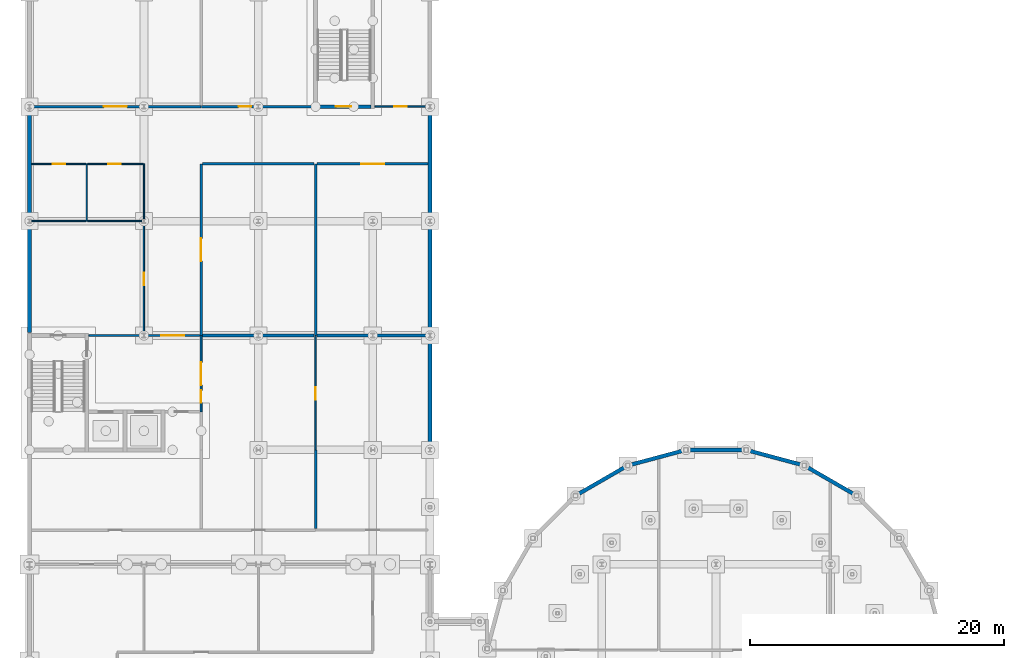
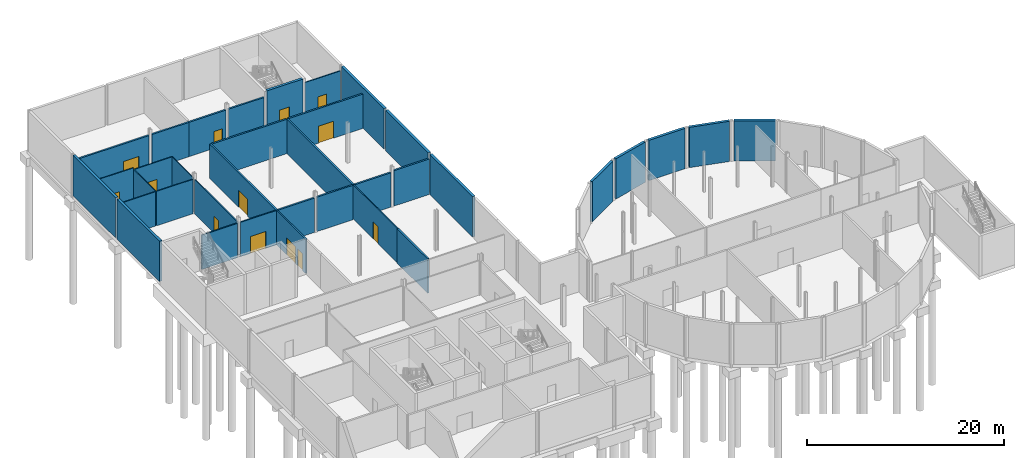
# One storey, part 16 of 25: 36 walls, 13 doors, 13 openings.
"""IFC4 building model written with IfcOpenShell, lengths in metres."""

from ifc_helpers import new_model, si_unit, direction, frame, frame_2d, origin, place, context, subcontext, project, spatial, rectangle, extrude, material, layer, layer_set, type_object, element, fill, save


model = new_model("IFC4")

# Units and contexts
model_context = context("Model", 3, precision=1e-05, world=origin(), true_north=direction((0.0, 1.0)))
body_context = subcontext(model_context, "Body", "Model", "MODEL_VIEW")
ifc_project = project(units=[si_unit("LENGTHUNIT", "METRE"), si_unit("AREAUNIT", "SQUARE_METRE"), si_unit("VOLUMEUNIT", "CUBIC_METRE"), si_unit("PLANEANGLEUNIT", "RADIAN"), si_unit("MASSUNIT", "GRAM", prefix="KILO")], contexts=[model_context])

# Site, building, storey
site_placement = place(None, origin())
site = spatial("IfcSite", under=ifc_project, at=site_placement, CompositionType="ELEMENT")
building_placement = place(site_placement, origin())
building = spatial("IfcBuilding", under=site, at=building_placement, Name="Hortulan Conservatory and Botanical Research Centre", CompositionType="ELEMENT")
storey_placement = place(building_placement, frame((0.0, 0.0, -5.0)))
storey = spatial("IfcBuildingStorey", under=building, at=storey_placement, Name="B1", CompositionType="ELEMENT", Elevation=-5.0)

# Walls
ifc_material_1 = material(Name="Concrete N40 (40 MPa, AS 3600)", Category="concrete")
ifc_layer_1 = layer(ifc_material_1, 0.300048828125)
ifc_layer_set_1 = layer_set([ifc_layer_1], Name="Basement Wall 300 N40 FRL 120/120/120")
wall_type_1 = type_object("IfcWallType", Name="Basement Wall 300 N40 FRL 120/120/120", PredefinedType="SOLIDWALL", material=ifc_layer_set_1)
wall_1_placement = place(storey_placement, frame((0.0, 45.25, 0.0), z_axis=(0.0, 0.0, 1.0), x_axis=(0.0, 1.0, 0.0)))
element("IfcWall", 1, at=wall_1_placement, inside=storey, type_object=wall_type_1, Name="Basement retaining wall", PredefinedType="SOLIDWALL", context=body_context, shape_type="SweptSolid", body=[
    extrude(rectangle(XDim=8.589599609375, YDim=0.300048828125, at=frame_2d((4.294921875, 0.0))), origin(), (0.0, 0.0, 1.0), 5.0),
])
for number, where, z_axis, x_axis, name in (
    (2, (0.0, 54.160400390625, 0.0), (0.0, 0.0, 1.0), (0.0, 1.0, 0.0), "Basement retaining wall"),
    (3, (31.5, 62.839599609375, 0.0), (0.0, 0.0, 1.0), (0.0, -1.0, 0.0), "Basement retaining wall"),
    (4, (31.5, 53.839599609375, 0.0), (0.0, 0.0, 1.0), (0.0, -1.0, 0.0), "Basement retaining wall"),
    (5, (31.5, 44.839599609375, 0.0), (0.0, 0.0, 1.0), (0.0, -1.0, 0.0), "Basement retaining wall"),
):
    element("IfcWall", number, at=place(storey_placement, frame(where, z_axis=z_axis, x_axis=x_axis)), inside=storey, type_object=wall_type_1, Name=name, PredefinedType="SOLIDWALL", context=body_context, shape_type="SweptSolid", body=[
        extrude(rectangle(XDim=8.67919921875, YDim=0.300048828125, at=frame_2d((4.339599609375, 0.0))), origin(), (0.0, 0.0, 1.0), 5.0),
    ])
wall_2_placement = place(storey_placement, frame((43.164306640625, 32.528564453125, 0.0), z_axis=(0.0, 0.0, 1.0), x_axis=(0.866030225258, 0.499991648869, 0.0)))
element("IfcWall", 6, at=wall_2_placement, inside=storey, type_object=wall_type_1, Name="Basement retaining wall", PredefinedType="SOLIDWALL", context=body_context, shape_type="SweptSolid", body=[
    extrude(rectangle(XDim=4.2392578125, YDim=0.300048828125, at=frame_2d((2.11962890625, 0.0))), origin(), (0.0, 0.0, 1.0), 5.0),
])
wall_3_placement = place(storey_placement, frame((47.293701171875, 34.837890625, 0.0), z_axis=(0.0, 0.0, 1.0), x_axis=(0.965919776125, 0.258841623565, 0.0)))
element("IfcWall", 7, at=wall_3_placement, inside=storey, type_object=wall_type_1, Name="Basement retaining wall", PredefinedType="SOLIDWALL", context=body_context, shape_type="SweptSolid", body=[
    extrude(rectangle(XDim=4.23974609375, YDim=0.300048828125, at=frame_2d((2.119873046875, 0.0))), origin(), (0.0, 0.0, 1.0), 5.0),
])
wall_4_placement = place(storey_placement, frame((51.88037109375, 36.0, 0.0), z_axis=(0.0, 0.0, 1.0), x_axis=(1.0, 0.0, 0.0)))
element("IfcWall", 8, at=wall_4_placement, inside=storey, type_object=wall_type_1, Name="Basement retaining wall", PredefinedType="SOLIDWALL", context=body_context, shape_type="SweptSolid", body=[
    extrude(rectangle(XDim=4.2392578125, YDim=0.300048828125, at=frame_2d((2.11962890625, 0.0))), origin(), (0.0, 0.0, 1.0), 5.0),
])
wall_5_placement = place(storey_placement, frame((56.611083984375, 35.935302734375, 0.0), z_axis=(0.0, 0.0, 1.0), x_axis=(0.965919776125, -0.258841623565, 0.0)))
element("IfcWall", 9, at=wall_5_placement, inside=storey, type_object=wall_type_1, Name="Basement retaining wall", PredefinedType="SOLIDWALL", context=body_context, shape_type="SweptSolid", body=[
    extrude(rectangle(XDim=4.23974609375, YDim=0.300048828125, at=frame_2d((2.119873046875, 0.0))), origin(), (0.0, 0.0, 1.0), 5.0),
])
wall_6_placement = place(storey_placement, frame((61.164306640625, 34.648193359375, 0.0), z_axis=(0.0, 0.0, 1.0), x_axis=(0.866030225258, -0.499991648869, 0.0)))
element("IfcWall", 10, at=wall_6_placement, inside=storey, type_object=wall_type_1, Name="Basement retaining wall", PredefinedType="SOLIDWALL", context=body_context, shape_type="SweptSolid", body=[
    extrude(rectangle(XDim=4.2392578125, YDim=0.300048828125, at=frame_2d((2.11962890625, 0.0))), origin(), (0.0, 0.0, 1.0), 5.0),
])
ifc_material_2 = material(Name="Fire-rated plasterboard on steel studs", Category="steel")
ifc_layer_2 = layer(ifc_material_2, 0.199951171875)
ifc_layer_set_2 = layer_set([ifc_layer_2], Name="Compartment Partition 200")
wall_type_2 = type_object("IfcWallType", Name="Compartment Partition 200", PredefinedType="PARTITIONING", material=ifc_layer_set_2)
wall_7_placement = place(storey_placement, frame((22.5, 29.81005859375, 0.0), z_axis=(0.0, 0.0, 1.0), x_axis=(0.0, 1.0, 0.0)))
element("IfcWall", 11, at=wall_7_placement, inside=storey, type_object=wall_type_2, Name="Store wall", PredefinedType="PARTITIONING", context=body_context, shape_type="SweptSolid", body=[
    extrude(rectangle(XDim=6.18994140625, YDim=0.199951171875, at=frame_2d((3.094970703125, 0.0))), origin(), (0.0, 0.0, 1.0), 4.27197265625),
])

# Wall, opening, door
wall_8_placement = place(storey_placement, frame((13.5, 45.0, 0.0), z_axis=(0.0, 0.0, 1.0), x_axis=(0.0, 1.0, 0.0)))
wall_8 = element("IfcWall", 12, at=wall_8_placement, inside=storey, type_object=wall_type_2, Name="Partition Basement Corridor and Main Switchgear Hall B1", PredefinedType="PARTITIONING", context=body_context, shape_type="SweptSolid", body=[
    extrude(rectangle(XDim=13.5, YDim=0.199951171875, at=frame_2d((6.75, 0.0))), origin(), (0.0, 0.0, 1.0), 4.26708984375),
])
opening_1_placement = place(wall_8_placement, frame((5.85009765625, 0.0, 0.0)))
opening_1 = element("IfcOpeningElement", 13, at=opening_1_placement, cuts=wall_8, Name="Opening DT7", PredefinedType="OPENING", context=body_context, shape_type="SweptSolid", body=[
    extrude(rectangle(XDim=1.800048828125, YDim=2.10009765625, at=frame_2d((0.89990234375, 1.050048828125))), frame((0.0, 0.10986328125, 0.0), z_axis=(0.0, -1.0, 0.0), x_axis=(1.0, 0.0, 0.0)), (0.0, 0.0, 1.0), 0.219970703125),
])
ifc_material_3 = material(Name="Steel door leaf, insulated", Category="steel")
door_type_1 = type_object("IfcDoorType", Name="Plant Room Double Door 1800x2100 FRL -/120/30", OperationType="DOUBLE_DOOR_SINGLE_SWING", PredefinedType="DOOR", material=ifc_material_3)
door_1_placement = place(opening_1_placement, origin())
door_1 = element("IfcDoor", 14, at=door_1_placement, inside=storey, type_object=door_type_1, Name="Door DT7 Main Switchgear Hall to Basement Corridor", OperationType="DOUBLE_DOOR_SINGLE_SWING", OverallHeight=2.10009765625, OverallWidth=1.800048828125, PredefinedType="DOOR", context=body_context, shape_type="SweptSolid", body=[
    extrude(rectangle(XDim=1.800048828125, YDim=2.10009765625, at=frame_2d((0.89990234375, 1.050048828125))), frame((0.0, 0.02490234375, 0.0), z_axis=(0.0, -1.0, 0.0), x_axis=(1.0, 0.0, 0.0)), (0.0, 0.0, 1.0), 0.050048828125),
])
fill(opening_1, door_1)

# Walls
wall_9_placement = place(storey_placement, frame((22.5, 45.0, 0.0), z_axis=(0.0, 0.0, 1.0), x_axis=(0.0, 1.0, 0.0)))
element("IfcWall", 15, at=wall_9_placement, inside=storey, type_object=wall_type_2, Name="Partition Main Switchgear Hall and Generator Room B1", PredefinedType="PARTITIONING", context=body_context, shape_type="SweptSolid", body=[
    extrude(rectangle(XDim=13.5, YDim=0.199951171875, at=frame_2d((6.75, 0.0))), origin(), (0.0, 0.0, 1.0), 4.26708984375),
])
for number, where, z_axis, x_axis, name in (
    (16, (13.610107421875, 45.0, 0.0), (0.0, 0.0, 1.0), (1.0, 0.0, 0.0), "Partition Exhibition Workshop and Main Switchgear Hall B1"),
    (17, (18.16455078125, 45.0, 0.0), (0.0, 0.0, 1.0), (1.0, 0.0, 0.0), "Partition Exhibition Workshop and Main Switchgear Hall B1"),
    (18, (22.610107421875, 45.0, 0.0), (0.0, 0.0, 1.0), (1.0, 0.0, 0.0), "Partition Education Teaching Collection and Generator Room B1"),
):
    element("IfcWall", number, at=place(storey_placement, frame(where, z_axis=z_axis, x_axis=x_axis)), inside=storey, type_object=wall_type_2, Name=name, PredefinedType="PARTITIONING", context=body_context, shape_type="SweptSolid", body=[
        extrude(rectangle(XDim=4.225341796875, YDim=0.199951171875, at=frame_2d((2.11279296875, 0.0))), origin(), (0.0, 0.0, 1.0), 4.26708984375),
    ])
wall_10_placement = place(storey_placement, frame((27.16455078125, 45.0, 0.0), z_axis=(0.0, 0.0, 1.0), x_axis=(1.0, 0.0, 0.0)))
element("IfcWall", 19, at=wall_10_placement, inside=storey, type_object=wall_type_2, Name="Partition Education Teaching Collection and Generator Room B1", PredefinedType="PARTITIONING", context=body_context, shape_type="SweptSolid", body=[
    extrude(rectangle(XDim=4.1708984375, YDim=0.199951171875, at=frame_2d((2.08544921875, 0.0))), origin(), (0.0, 0.0, 1.0), 4.39697265625),
])
wall_11_placement = place(storey_placement, frame((13.610107421875, 58.5, 0.0), z_axis=(0.0, 0.0, 1.0), x_axis=(1.0, 0.0, 0.0)))
element("IfcWall", 20, at=wall_11_placement, inside=storey, type_object=wall_type_2, Name="Partition Basement Corridor and Main Switchgear Hall B1", PredefinedType="PARTITIONING", context=body_context, shape_type="SweptSolid", body=[
    extrude(rectangle(XDim=8.77978515625, YDim=0.199951171875, at=frame_2d((4.389892578125, 0.0))), origin(), (0.0, 0.0, 1.0), 4.26708984375),
])

# Wall, opening, door
wall_12_placement = place(storey_placement, frame((22.610107421875, 58.5, 0.0), z_axis=(0.0, 0.0, 1.0), x_axis=(1.0, 0.0, 0.0)))
wall_12 = element("IfcWall", 21, at=wall_12_placement, inside=storey, type_object=wall_type_2, Name="Partition Basement Corridor and Generator Room B1", PredefinedType="PARTITIONING", context=body_context, shape_type="SweptSolid", body=[
    extrude(rectangle(XDim=8.72998046875, YDim=0.199951171875, at=frame_2d((4.364990234375, 0.0))), origin(), (0.0, 0.0, 1.0), 4.26708984375),
])
opening_2_placement = place(wall_12_placement, frame((3.489990234375, 0.0, 0.0)))
opening_2 = element("IfcOpeningElement", 22, at=opening_2_placement, cuts=wall_12, Name="Opening DT7", PredefinedType="OPENING", context=body_context, shape_type="SweptSolid", body=[
    extrude(rectangle(XDim=1.800048828125, YDim=2.10009765625, at=frame_2d((0.89990234375, 1.050048828125))), frame((0.0, 0.10986328125, 0.0), z_axis=(0.0, -1.0, 0.0), x_axis=(1.0, 0.0, 0.0)), (0.0, 0.0, 1.0), 0.219970703125),
])
door_2_placement = place(opening_2_placement, origin())
door_2 = element("IfcDoor", 23, at=door_2_placement, inside=storey, type_object=door_type_1, Name="Door DT7 Generator Room to Basement Corridor", OperationType="DOUBLE_DOOR_SINGLE_SWING", OverallHeight=2.10009765625, OverallWidth=1.800048828125, PredefinedType="DOOR", context=body_context, shape_type="SweptSolid", body=[
    extrude(rectangle(XDim=1.800048828125, YDim=2.10009765625, at=frame_2d((0.89990234375, 1.050048828125))), frame((0.0, 0.02490234375, 0.0), z_axis=(0.0, -1.0, 0.0), x_axis=(1.0, 0.0, 0.0)), (0.0, 0.0, 1.0), 0.050048828125),
])
fill(opening_2, door_2)

wall_13_placement = place(storey_placement, frame((0.16455078125, 63.0, 0.0), z_axis=(0.0, 0.0, 1.0), x_axis=(1.0, 0.0, 0.0)))
wall_13 = element("IfcWall", 24, at=wall_13_placement, inside=storey, type_object=wall_type_2, Name="Partition Basement Corridor and Visitor Centre Mechanical Hall B1", PredefinedType="PARTITIONING", context=body_context, shape_type="SweptSolid", body=[
    extrude(rectangle(XDim=8.6708984375, YDim=0.199951171875, at=frame_2d((4.33544921875, 0.0))), origin(), (0.0, 0.0, 1.0), 4.26708984375),
])
opening_3_placement = place(wall_13_placement, frame((5.685546875, 0.0, 0.0)))
opening_3 = element("IfcOpeningElement", 25, at=opening_3_placement, cuts=wall_13, Name="Opening DT7", PredefinedType="OPENING", context=body_context, shape_type="SweptSolid", body=[
    extrude(rectangle(XDim=1.800048828125, YDim=2.10009765625, at=frame_2d((0.89990234375, 1.050048828125))), frame((0.0, 0.10986328125, 0.0), z_axis=(0.0, -1.0, 0.0), x_axis=(1.0, 0.0, 0.0)), (0.0, 0.0, 1.0), 0.219970703125),
])
door_3_placement = place(opening_3_placement, frame((1.800048828125, 0.0, 0.0), z_axis=(0.0, 0.0, 1.0), x_axis=(-1.0, 0.0, 0.0)))
door_3 = element("IfcDoor", 26, at=door_3_placement, inside=storey, type_object=door_type_1, Name="Door DT7 Visitor Centre Mechanical Hall to Basement Corridor", OperationType="DOUBLE_DOOR_SINGLE_SWING", OverallHeight=2.10009765625, OverallWidth=1.800048828125, PredefinedType="DOOR", context=body_context, shape_type="SweptSolid", body=[
    extrude(rectangle(XDim=1.800048828125, YDim=2.10009765625, at=frame_2d((0.89990234375, 1.050048828125))), frame((0.0, 0.02490234375, 0.0), z_axis=(0.0, -1.0, 0.0), x_axis=(1.0, 0.0, 0.0)), (0.0, 0.0, 1.0), 0.050048828125),
])
fill(opening_3, door_3)

# Wall
wall_14_placement = place(storey_placement, frame((9.16455078125, 63.0, 0.0), z_axis=(0.0, 0.0, 1.0), x_axis=(1.0, 0.0, 0.0)))
element("IfcWall", 27, at=wall_14_placement, inside=storey, type_object=wall_type_2, Name="Partition Basement Corridor and Visitor Centre Mechanical Hall B1", PredefinedType="PARTITIONING", context=body_context, shape_type="SweptSolid", body=[
    extrude(rectangle(XDim=4.33544921875, YDim=0.199951171875, at=frame_2d((2.167724609375, 0.0))), origin(), (0.0, 0.0, 1.0), 4.26708984375),
])

# Wall, opening, door
wall_15_placement = place(storey_placement, frame((13.510009765625, 63.0, 0.0), z_axis=(0.0, 0.0, 1.0), x_axis=(1.0, 0.0, 0.0)))
wall_15 = element("IfcWall", 28, at=wall_15_placement, inside=storey, type_object=wall_type_2, Name="Partition Basement Corridor and Fire Pump and Sprinkler Tank Room B1", PredefinedType="PARTITIONING", context=body_context, shape_type="SweptSolid", body=[
    extrude(rectangle(XDim=4.325439453125, YDim=0.199951171875, at=frame_2d((2.16259765625, 0.0))), origin(), (0.0, 0.0, 1.0), 4.26708984375),
])
opening_4_placement = place(wall_15_placement, frame((2.93115234375, 0.0, 0.0)))
opening_4 = element("IfcOpeningElement", 29, at=opening_4_placement, cuts=wall_15, Name="Opening DT6", PredefinedType="OPENING", context=body_context, shape_type="SweptSolid", body=[
    extrude(rectangle(XDim=1.0, YDim=2.10009765625, at=frame_2d((0.5, 1.050048828125))), frame((0.0, 0.10986328125, 0.0), z_axis=(0.0, -1.0, 0.0), x_axis=(1.0, 0.0, 0.0)), (0.0, 0.0, 1.0), 0.219970703125),
])
door_type_2 = type_object("IfcDoorType", Name="Fire Door 1000x2100 FRL -/120/30", OperationType="NOTDEFINED", PredefinedType="DOOR", material=ifc_material_3)
door_4_placement = place(opening_4_placement, frame((1.0, 0.0, 0.0), z_axis=(0.0, 0.0, 1.0), x_axis=(-1.0, 0.0, 0.0)))
door_4 = element("IfcDoor", 30, at=door_4_placement, inside=storey, type_object=door_type_2, Name="Door DT6 Fire Pump and Sprinkler Tank Room to Basement Corridor", OperationType="SINGLE_SWING_RIGHT", OverallHeight=2.10009765625, OverallWidth=1.0, PredefinedType="DOOR", context=body_context, shape_type="SweptSolid", body=[
    extrude(rectangle(XDim=1.0, YDim=2.10009765625, at=frame_2d((0.5, 1.050048828125))), frame((0.0, 0.02490234375, 0.0), z_axis=(0.0, -1.0, 0.0), x_axis=(1.0, 0.0, 0.0)), (0.0, 0.0, 1.0), 0.050048828125),
])
fill(opening_4, door_4)

# Wall
wall_16_placement = place(storey_placement, frame((18.16455078125, 63.0, 0.0), z_axis=(0.0, 0.0, 1.0), x_axis=(1.0, 0.0, 0.0)))
element("IfcWall", 31, at=wall_16_placement, inside=storey, type_object=wall_type_2, Name="Partition Basement Corridor and Fire Pump and Sprinkler Tank Room B1", PredefinedType="PARTITIONING", context=body_context, shape_type="SweptSolid", body=[
    extrude(rectangle(XDim=4.175537109375, YDim=0.199951171875, at=frame_2d((2.087890625, 0.0))), origin(), (0.0, 0.0, 1.0), 4.26708984375),
])

# Wall, opening, door
ifc_layer_3 = layer(ifc_material_1, 0.300048828125)
ifc_layer_set_3 = layer_set([ifc_layer_3], Name="Core Wall 300 N40 FRL 180/120/120")
wall_type_3 = type_object("IfcWallType", Name="Core Wall 300 N40 FRL 180/120/120", PredefinedType="SHEAR", material=ifc_layer_set_3)
wall_17_placement = place(storey_placement, frame((22.64990234375, 63.0, -0.39990234375), z_axis=(0.0, 0.0, 1.0), x_axis=(1.0, 0.0, 0.0)))
wall_17 = element("IfcWall", 32, at=wall_17_placement, inside=storey, type_object=wall_type_3, Name="Reinforced concrete shaft wall", PredefinedType="SHEAR", context=body_context, shape_type="SweptSolid", body=[
    extrude(rectangle(XDim=4.2001953125, YDim=0.300048828125, at=frame_2d((2.10009765625, 0.0))), origin(), (0.0, 0.0, 1.0), 5.39990234375),
])
opening_5_placement = place(wall_17_placement, frame((1.436767578125, 0.0, 0.39990234375)))
opening_5 = element("IfcOpeningElement", 33, at=opening_5_placement, cuts=wall_17, Name="Opening DT5", PredefinedType="OPENING", context=body_context, shape_type="SweptSolid", body=[
    extrude(rectangle(XDim=1.199951171875, YDim=2.10009765625, at=frame_2d((0.60009765625, 1.050048828125))), frame((0.0, 0.159912109375, 0.0), z_axis=(0.0, -1.0, 0.0), x_axis=(1.0, 0.0, 0.0)), (0.0, 0.0, 1.0), 0.320068359375),
])
door_type_3 = type_object("IfcDoorType", Name="Stair Door 1200x2100 FRL -/120/30", OperationType="NOTDEFINED", PredefinedType="DOOR", material=ifc_material_3)
door_5_placement = place(opening_5_placement, origin())
door_5 = element("IfcDoor", 34, at=door_5_placement, inside=storey, type_object=door_type_3, Name="Door DT5 Exit Stair V2 to Basement Corridor", OperationType="SINGLE_SWING_LEFT", OverallHeight=2.10009765625, OverallWidth=1.199951171875, PredefinedType="DOOR", context=body_context, shape_type="SweptSolid", body=[
    extrude(rectangle(XDim=1.199951171875, YDim=2.10009765625, at=frame_2d((0.60009765625, 1.050048828125))), frame((0.0, 0.02490234375, 0.0), z_axis=(0.0, -1.0, 0.0), x_axis=(1.0, 0.0, 0.0)), (0.0, 0.0, 1.0), 0.050048828125),
])
fill(opening_5, door_5)

# Wall, openings, doors
ifc_layer_4 = layer(ifc_material_2, 0.14990234375)
ifc_layer_set_4 = layer_set([ifc_layer_4], Name="Lobby Partition 150")
wall_type_4 = type_object("IfcWallType", Name="Lobby Partition 150", PredefinedType="PARTITIONING", material=ifc_layer_set_4)
wall_18_placement = place(storey_placement, frame((13.5, 39.0, 0.0), z_axis=(0.0, 0.0, 1.0), x_axis=(0.0, 1.0, 0.0)))
wall_18 = element("IfcWall", 35, at=wall_18_placement, inside=storey, type_object=wall_type_4, Name="Partition Lift Lobby and Exhibition Workshop B1", PredefinedType="PARTITIONING", context=body_context, shape_type="SweptSolid", body=[
    extrude(rectangle(XDim=5.989990234375, YDim=0.14990234375, at=frame_2d((2.9951171875, 0.0))), origin(), (0.0, 0.0, 1.0), 4.26708984375),
])
opening_6_placement = place(wall_18_placement, frame((2.10009765625, 0.0, 0.0)))
opening_6 = element("IfcOpeningElement", 36, at=opening_6_placement, cuts=wall_18, Name="Opening DT8", PredefinedType="OPENING", context=body_context, shape_type="SweptSolid", body=[
    extrude(rectangle(XDim=1.800048828125, YDim=2.10009765625, at=frame_2d((0.89990234375, 1.050048828125))), frame((0.0, 0.0849609375, 0.0), z_axis=(0.0, -1.0, 0.0), x_axis=(1.0, 0.0, 0.0)), (0.0, 0.0, 1.0), 0.169921875),
])
opening_7_placement = place(wall_18_placement, frame((0.698486328125, 0.0, 0.0)))
opening_7 = element("IfcOpeningElement", 37, at=opening_7_placement, cuts=wall_18, Name="Opening DT4", PredefinedType="OPENING", context=body_context, shape_type="SweptSolid", body=[
    extrude(rectangle(XDim=1.0, YDim=2.10009765625, at=frame_2d((0.5, 1.050048828125))), frame((0.0, 0.0849609375, 0.0), z_axis=(0.0, -1.0, 0.0), x_axis=(1.0, 0.0, 0.0)), (0.0, 0.0, 1.0), 0.169921875),
])
door_type_4 = type_object("IfcDoorType", Name="Fire Door 1000x2100 FRL -/60/30", OperationType="NOTDEFINED", PredefinedType="DOOR", material=ifc_material_3)
door_6_placement = place(opening_7_placement, frame((1.0, 0.0, 0.0), z_axis=(0.0, 0.0, 1.0), x_axis=(-1.0, 0.0, 0.0)))
door_6 = element("IfcDoor", 38, at=door_6_placement, inside=storey, type_object=door_type_4, Name="Door DT4 Exhibition Workshop to Lift Lobby", OperationType="SINGLE_SWING_RIGHT", OverallHeight=2.10009765625, OverallWidth=1.0, PredefinedType="DOOR", context=body_context, shape_type="SweptSolid", body=[
    extrude(rectangle(XDim=1.0, YDim=2.10009765625, at=frame_2d((0.5, 1.050048828125))), frame((0.0, 0.02490234375, 0.0), z_axis=(0.0, -1.0, 0.0), x_axis=(1.0, 0.0, 0.0)), (0.0, 0.0, 1.0), 0.050048828125),
])
fill(opening_7, door_6)
door_type_5 = type_object("IfcDoorType", Name="Lobby Double Door 1800x2100 FRL -/60/30", OperationType="DOUBLE_DOOR_SINGLE_SWING", PredefinedType="DOOR", material=ifc_material_3)
door_7_placement = place(opening_6_placement, frame((1.800048828125, 0.0, 0.0), z_axis=(0.0, 0.0, 1.0), x_axis=(-1.0, 0.0, 0.0)))
door_7 = element("IfcDoor", 39, at=door_7_placement, inside=storey, type_object=door_type_5, Name="Door DT8 Lift Lobby to Exhibition Workshop", OperationType="DOUBLE_DOOR_SINGLE_SWING", OverallHeight=2.10009765625, OverallWidth=1.800048828125, PredefinedType="DOOR", context=body_context, shape_type="SweptSolid", body=[
    extrude(rectangle(XDim=1.800048828125, YDim=2.10009765625, at=frame_2d((0.89990234375, 1.050048828125))), frame((0.0, 0.02490234375, 0.0), z_axis=(0.0, -1.0, 0.0), x_axis=(1.0, 0.0, 0.0)), (0.0, 0.0, 1.0), 0.050048828125),
])
fill(opening_6, door_7)

# Wall
wall_19_placement = place(storey_placement, frame((4.659912109375, 45.0, 0.0), z_axis=(0.0, 0.0, 1.0), x_axis=(1.0, 0.0, 0.0)))
element("IfcWall", 40, at=wall_19_placement, inside=storey, type_object=wall_type_4, Name="Partition Lift Lobby and Cycle Parking Hall B1", PredefinedType="PARTITIONING", context=body_context, shape_type="SweptSolid", body=[
    extrude(rectangle(XDim=4.175537109375, YDim=0.14990234375, at=frame_2d((2.087890625, 0.0))), origin(), (0.0, 0.0, 1.0), 4.26708984375),
])

# Wall, opening, door
wall_20_placement = place(storey_placement, frame((9.16455078125, 45.0, 0.0), z_axis=(0.0, 0.0, 1.0), x_axis=(1.0, 0.0, 0.0)))
wall_20 = element("IfcWall", 41, at=wall_20_placement, inside=storey, type_object=wall_type_4, Name="Partition Lift Lobby and Basement Corridor B1", PredefinedType="PARTITIONING", context=body_context, shape_type="SweptSolid", body=[
    extrude(rectangle(XDim=4.225341796875, YDim=0.14990234375, at=frame_2d((2.11279296875, 0.0))), origin(), (0.0, 0.0, 1.0), 4.26708984375),
])
opening_8_placement = place(wall_20_placement, frame((1.185546875, 0.0, 0.0)))
opening_8 = element("IfcOpeningElement", 42, at=opening_8_placement, cuts=wall_20, Name="Opening DT8", PredefinedType="OPENING", context=body_context, shape_type="SweptSolid", body=[
    extrude(rectangle(XDim=1.800048828125, YDim=2.10009765625, at=frame_2d((0.89990234375, 1.050048828125))), frame((0.0, 0.0849609375, 0.0), z_axis=(0.0, -1.0, 0.0), x_axis=(1.0, 0.0, 0.0)), (0.0, 0.0, 1.0), 0.169921875),
])
door_8_placement = place(opening_8_placement, origin())
door_8 = element("IfcDoor", 43, at=door_8_placement, inside=storey, type_object=door_type_5, Name="Door DT8 Lift Lobby to Basement Corridor", OperationType="DOUBLE_DOOR_SINGLE_SWING", OverallHeight=2.10009765625, OverallWidth=1.800048828125, PredefinedType="DOOR", context=body_context, shape_type="SweptSolid", body=[
    extrude(rectangle(XDim=1.800048828125, YDim=2.10009765625, at=frame_2d((0.89990234375, 1.050048828125))), frame((0.0, 0.02490234375, 0.0), z_axis=(0.0, -1.0, 0.0), x_axis=(1.0, 0.0, 0.0)), (0.0, 0.0, 1.0), 0.050048828125),
])
fill(opening_8, door_8)

ifc_material_4 = material(Name="Plasterboard on steel studs", Category="steel")
ifc_layer_5 = layer(ifc_material_4, 0.125)
ifc_layer_set_5 = layer_set([ifc_layer_5], Name="Partition 125")
wall_type_5 = type_object("IfcWallType", Name="Partition 125", PredefinedType="PARTITIONING", material=ifc_layer_set_5)
wall_21_placement = place(storey_placement, frame((9.0, 45.17041015625, 0.0), z_axis=(0.0, 0.0, 1.0), x_axis=(0.0, 1.0, 0.0)))
wall_21 = element("IfcWall", 44, at=wall_21_placement, inside=storey, type_object=wall_type_5, Name="Partition Basement Corridor and Cycle Parking Hall B1", PredefinedType="PARTITIONING", context=body_context, shape_type="SweptSolid", body=[
    extrude(rectangle(XDim=8.6591796875, YDim=0.125, at=frame_2d((4.32958984375, 0.0))), origin(), (0.0, 0.0, 1.0), 4.26708984375),
])
opening_9_placement = place(wall_21_placement, frame((3.76708984375, 0.0, 0.0)))
opening_9 = element("IfcOpeningElement", 45, at=opening_9_placement, cuts=wall_21, Name="Opening DT1", PredefinedType="OPENING", context=body_context, shape_type="SweptSolid", body=[
    extrude(rectangle(XDim=1.0, YDim=2.10009765625, at=frame_2d((0.5, 1.050048828125))), frame((0.0, 0.072509765625, 0.0), z_axis=(0.0, -1.0, 0.0), x_axis=(1.0, 0.0, 0.0)), (0.0, 0.0, 1.0), 0.14501953125),
])
ifc_material_5 = material(Name="Timber door leaf in timber frame", Category="wood")
door_type_6 = type_object("IfcDoorType", Name="Single Door 1000x2100", OperationType="NOTDEFINED", PredefinedType="DOOR", material=ifc_material_5)
door_9_placement = place(opening_9_placement, origin())
door_9 = element("IfcDoor", 46, at=door_9_placement, inside=storey, type_object=door_type_6, Name="Door DT1 Cycle Parking Hall to Basement Corridor", OperationType="SINGLE_SWING_LEFT", OverallHeight=2.10009765625, OverallWidth=1.0, PredefinedType="DOOR", context=body_context, shape_type="SweptSolid", body=[
    extrude(rectangle(XDim=1.0, YDim=2.10009765625, at=frame_2d((0.5, 1.050048828125))), frame((0.0, 0.02490234375, 0.0), z_axis=(0.0, -1.0, 0.0), x_axis=(1.0, 0.0, 0.0)), (0.0, 0.0, 1.0), 0.050048828125),
])
fill(opening_9, door_9)

wall_22_placement = place(storey_placement, frame((22.5, 36.010009765625, 0.0), z_axis=(0.0, 0.0, 1.0), x_axis=(0.0, 1.0, 0.0)))
wall_22 = element("IfcWall", 47, at=wall_22_placement, inside=storey, type_object=wall_type_5, Name="Partition Exhibition Workshop and Education Teaching Collection B1", PredefinedType="PARTITIONING", context=body_context, shape_type="SweptSolid", body=[
    extrude(rectangle(XDim=8.97998046875, YDim=0.125, at=frame_2d((4.489990234375, 0.0))), origin(), (0.0, 0.0, 1.0), 4.26708984375),
])
opening_10_placement = place(wall_22_placement, frame((3.927734375, 0.0, 0.0)))
opening_10 = element("IfcOpeningElement", 48, at=opening_10_placement, cuts=wall_22, Name="Opening DT1", PredefinedType="OPENING", context=body_context, shape_type="SweptSolid", body=[
    extrude(rectangle(XDim=1.0, YDim=2.10009765625, at=frame_2d((0.5, 1.050048828125))), frame((0.0, 0.072509765625, 0.0), z_axis=(0.0, -1.0, 0.0), x_axis=(1.0, 0.0, 0.0)), (0.0, 0.0, 1.0), 0.14501953125),
])
door_10_placement = place(opening_10_placement, frame((1.0, 0.0, 0.0), z_axis=(0.0, 0.0, 1.0), x_axis=(-1.0, 0.0, 0.0)))
door_10 = element("IfcDoor", 49, at=door_10_placement, inside=storey, type_object=door_type_6, Name="Door DT1 Education Teaching Collection to Exhibition Workshop", OperationType="SINGLE_SWING_RIGHT", OverallHeight=2.10009765625, OverallWidth=1.0, PredefinedType="DOOR", context=body_context, shape_type="SweptSolid", body=[
    extrude(rectangle(XDim=1.0, YDim=2.10009765625, at=frame_2d((0.5, 1.050048828125))), frame((0.0, 0.02490234375, 0.0), z_axis=(0.0, -1.0, 0.0), x_axis=(1.0, 0.0, 0.0)), (0.0, 0.0, 1.0), 0.050048828125),
])
fill(opening_10, door_10)

wall_23_placement = place(storey_placement, frame((27.159912109375, 63.0, 0.0), z_axis=(0.0, 0.0, 1.0), x_axis=(1.0, 0.0, 0.0)))
wall_23 = element("IfcWall", 50, at=wall_23_placement, inside=storey, type_object=wall_type_5, Name="Partition Basement Corridor and Cleaners' Store B1", PredefinedType="PARTITIONING", context=body_context, shape_type="SweptSolid", body=[
    extrude(rectangle(XDim=4.175537109375, YDim=0.125, at=frame_2d((2.087890625, 0.0))), origin(), (0.0, 0.0, 1.0), 4.39697265625),
])
opening_11_placement = place(wall_23_placement, frame((1.528076171875, 0.0, 0.0)))
opening_11 = element("IfcOpeningElement", 51, at=opening_11_placement, cuts=wall_23, Name="Opening DT1", PredefinedType="OPENING", context=body_context, shape_type="SweptSolid", body=[
    extrude(rectangle(XDim=1.0, YDim=2.10009765625, at=frame_2d((0.5, 1.050048828125))), frame((0.0, 0.072509765625, 0.0), z_axis=(0.0, -1.0, 0.0), x_axis=(1.0, 0.0, 0.0)), (0.0, 0.0, 1.0), 0.14501953125),
])
door_11_placement = place(opening_11_placement, origin())
door_11 = element("IfcDoor", 52, at=door_11_placement, inside=storey, type_object=door_type_6, Name="Door DT1 Cleaners' Store to Basement Corridor", OperationType="SINGLE_SWING_LEFT", OverallHeight=2.10009765625, OverallWidth=1.0, PredefinedType="DOOR", context=body_context, shape_type="SweptSolid", body=[
    extrude(rectangle(XDim=1.0, YDim=2.10009765625, at=frame_2d((0.5, 1.050048828125))), frame((0.0, 0.02490234375, 0.0), z_axis=(0.0, -1.0, 0.0), x_axis=(1.0, 0.0, 0.0)), (0.0, 0.0, 1.0), 0.050048828125),
])
fill(opening_11, door_11)

# Walls
ifc_material_6 = material(Name="Moisture-resistant plasterboard on steel studs", Category="steel")
ifc_layer_6 = layer(ifc_material_6, 0.10009765625)
ifc_layer_set_6 = layer_set([ifc_layer_6], Name="Wet Area Partition 100")
wall_type_6 = type_object("IfcWallType", Name="Wet Area Partition 100", PredefinedType="PARTITIONING", material=ifc_layer_set_6)
wall_24_placement = place(storey_placement, frame((4.5, 54.0, 0.0), z_axis=(0.0, 0.0, 1.0), x_axis=(0.0, 1.0, 0.0)))
element("IfcWall", 53, at=wall_24_placement, inside=storey, type_object=wall_type_6, Name="Partition Basement Staff WC and Basement Accessible WC B1", PredefinedType="PARTITIONING", context=body_context, shape_type="SweptSolid", body=[
    extrude(rectangle(XDim=4.5, YDim=0.10009765625, at=frame_2d((2.25, 0.0))), origin(), (0.0, 0.0, 1.0), 4.26708984375),
])
wall_25_placement = place(storey_placement, frame((9.0, 54.17041015625, 0.0), z_axis=(0.0, 0.0, 1.0), x_axis=(0.0, 1.0, 0.0)))
element("IfcWall", 54, at=wall_25_placement, inside=storey, type_object=wall_type_6, Name="Partition Basement Corridor and Basement Accessible WC B1", PredefinedType="PARTITIONING", context=body_context, shape_type="SweptSolid", body=[
    extrude(rectangle(XDim=4.32958984375, YDim=0.10009765625, at=frame_2d((2.164794921875, 0.0))), origin(), (0.0, 0.0, 1.0), 4.26708984375),
])
for number, where, z_axis, x_axis, name in (
    (55, (0.16455078125, 54.0, 0.0), (0.0, 0.0, 1.0), (1.0, 0.0, 0.0), "Partition Cycle Parking Hall and Basement Staff WC B1"),
    (56, (4.56005859375, 54.0, 0.0), (0.0, 0.0, 1.0), (1.0, 0.0, 0.0), "Partition Cycle Parking Hall and Basement Accessible WC B1"),
):
    element("IfcWall", number, at=place(storey_placement, frame(where, z_axis=z_axis, x_axis=x_axis)), inside=storey, type_object=wall_type_6, Name=name, PredefinedType="PARTITIONING", context=body_context, shape_type="SweptSolid", body=[
        extrude(rectangle(XDim=4.275390625, YDim=0.10009765625, at=frame_2d((2.1376953125, 0.0))), origin(), (0.0, 0.0, 1.0), 4.26708984375),
    ])

# Wall, opening, door
wall_26_placement = place(storey_placement, frame((0.159912109375, 58.5, 0.0), z_axis=(0.0, 0.0, 1.0), x_axis=(1.0, 0.0, 0.0)))
wall_26 = element("IfcWall", 57, at=wall_26_placement, inside=storey, type_object=wall_type_6, Name="Partition Basement Corridor and Basement Staff WC B1", PredefinedType="PARTITIONING", context=body_context, shape_type="SweptSolid", body=[
    extrude(rectangle(XDim=4.280029296875, YDim=0.10009765625, at=frame_2d((2.14013671875, 0.0))), origin(), (0.0, 0.0, 1.0), 4.49609375),
])
opening_12_placement = place(wall_26_placement, frame((1.65185546875, 0.0, 0.0)))
opening_12 = element("IfcOpeningElement", 58, at=opening_12_placement, cuts=wall_26, Name="Opening DT1", PredefinedType="OPENING", context=body_context, shape_type="SweptSolid", body=[
    extrude(rectangle(XDim=1.0, YDim=2.10009765625, at=frame_2d((0.5, 1.050048828125))), frame((0.0, 0.06005859375, 0.0), z_axis=(0.0, -1.0, 0.0), x_axis=(1.0, 0.0, 0.0)), (0.0, 0.0, 1.0), 0.1201171875),
])
door_12_placement = place(opening_12_placement, frame((1.0, 0.0, 0.0), z_axis=(0.0, 0.0, 1.0), x_axis=(-1.0, 0.0, 0.0)))
door_12 = element("IfcDoor", 59, at=door_12_placement, inside=storey, type_object=door_type_6, Name="Door DT1 Basement Staff WC to Basement Corridor", OperationType="SINGLE_SWING_RIGHT", OverallHeight=2.10009765625, OverallWidth=1.0, PredefinedType="DOOR", context=body_context, shape_type="SweptSolid", body=[
    extrude(rectangle(XDim=1.0, YDim=2.10009765625, at=frame_2d((0.5, 1.050048828125))), frame((0.0, 0.02490234375, 0.0), z_axis=(0.0, -1.0, 0.0), x_axis=(1.0, 0.0, 0.0)), (0.0, 0.0, 1.0), 0.050048828125),
])
fill(opening_12, door_12)

wall_27_placement = place(storey_placement, frame((4.56005859375, 58.5, 0.0), z_axis=(0.0, 0.0, 1.0), x_axis=(1.0, 0.0, 0.0)))
wall_27 = element("IfcWall", 60, at=wall_27_placement, inside=storey, type_object=wall_type_6, Name="Partition Basement Corridor and Basement Accessible WC B1", PredefinedType="PARTITIONING", context=body_context, shape_type="SweptSolid", body=[
    extrude(rectangle(XDim=4.3798828125, YDim=0.10009765625, at=frame_2d((2.18994140625, 0.0))), origin(), (0.0, 0.0, 1.0), 4.26708984375),
])
opening_13_placement = place(wall_27_placement, frame((1.628173828125, 0.0, 0.0)))
opening_13 = element("IfcOpeningElement", 61, at=opening_13_placement, cuts=wall_27, Name="Opening DT1", PredefinedType="OPENING", context=body_context, shape_type="SweptSolid", body=[
    extrude(rectangle(XDim=1.0, YDim=2.10009765625, at=frame_2d((0.5, 1.050048828125))), frame((0.0, 0.06005859375, 0.0), z_axis=(0.0, -1.0, 0.0), x_axis=(1.0, 0.0, 0.0)), (0.0, 0.0, 1.0), 0.1201171875),
])
door_13_placement = place(opening_13_placement, frame((1.0, 0.0, 0.0), z_axis=(0.0, 0.0, 1.0), x_axis=(-1.0, 0.0, 0.0)))
door_13 = element("IfcDoor", 62, at=door_13_placement, inside=storey, type_object=door_type_6, Name="Door DT1 Basement Accessible WC to Basement Corridor", OperationType="SINGLE_SWING_RIGHT", OverallHeight=2.10009765625, OverallWidth=1.0, PredefinedType="DOOR", context=body_context, shape_type="SweptSolid", body=[
    extrude(rectangle(XDim=1.0, YDim=2.10009765625, at=frame_2d((0.5, 1.050048828125))), frame((0.0, 0.02490234375, 0.0), z_axis=(0.0, -1.0, 0.0), x_axis=(1.0, 0.0, 0.0)), (0.0, 0.0, 1.0), 0.050048828125),
])
fill(opening_13, door_13)

save(model, "model.ifc")
